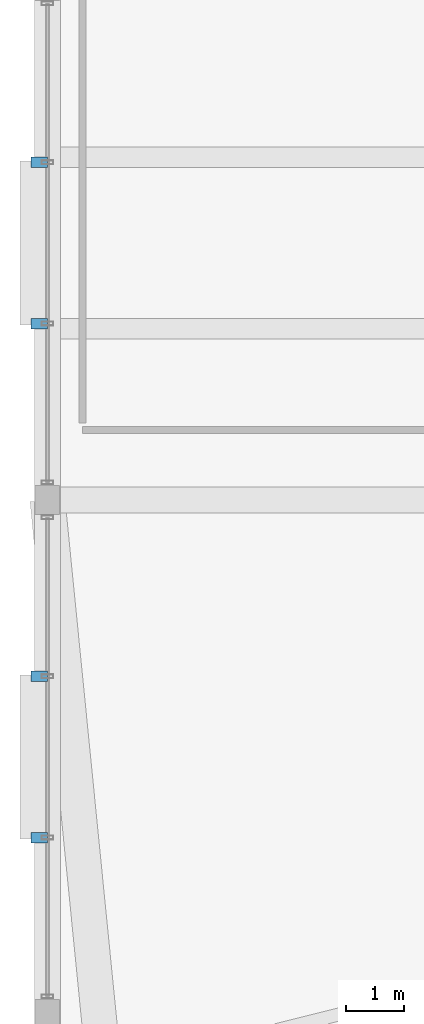
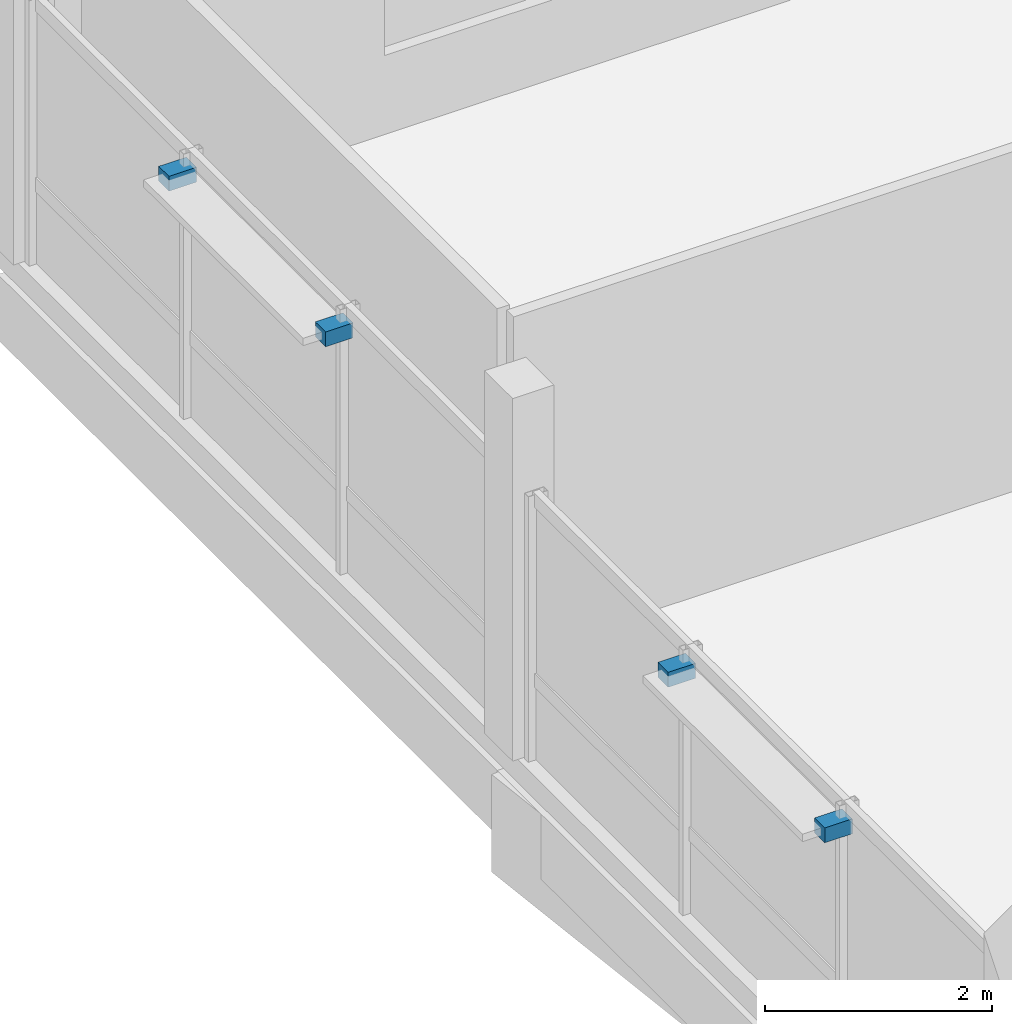
# One storey, part 59 of 62: 4 discrete accessories.
"""IFC4 building model written with IfcOpenShell, lengths in metres."""

import ifcopenshell
import ifcopenshell.guid

model = None  # the IFC model being written
_history = None  # IfcOwnerHistory: only IFC2X3 demands one
_inside = {}  # id of a spatial element -> (the spatial element, [elements in it])
_under = {}  # id of a project, library or spatial element -> (it, [spatial elements below it])
_declared = {}  # id of a project -> (the project, [libraries it declares])
_typed = {}  # id of a type object -> (the type object, [elements of that type])
_made_of = {}  # id of a material, layer set ... -> (it, [elements and type objects made of it])


def new_model(schema):
    """Start an empty IFC model of exactly this schema.

    Asked for "IFC4X3", IfcOpenShell would pick the latest addendum, in which some entities
    have other attributes; the version numbers below select the first issue.
    IFC2X3 requires an IfcOwnerHistory on every rooted entity: one is made here for all.
    """
    global model, _history
    if schema == "IFC4X3":
        model = ifcopenshell.file(schema_version=(4, 3, 0, 0))
    else:
        model = ifcopenshell.file(schema=schema)
    _inside.clear()
    _under.clear()
    _declared.clear()
    _typed.clear()
    _made_of.clear()
    _history = None
    if model.schema == "IFC2X3":
        org = make("IfcOrganization", Name="unknown")
        user = make(
            "IfcPersonAndOrganization",
            ThePerson=make("IfcPerson", FamilyName="unknown"),
            TheOrganization=org,
        )
        app = make(
            "IfcApplication",
            ApplicationDeveloper=org,
            Version="unknown",
            ApplicationFullName="unknown",
            ApplicationIdentifier="unknown",
        )
        _history = make(
            "IfcOwnerHistory",
            OwningUser=user,
            OwningApplication=app,
            ChangeAction="ADDED",
            CreationDate=0,
        )
    return model


def make(cls, **values):
    """One entity of the class cls with the attributes given. An attribute that is None is left unset."""
    return model.create_entity(
        cls, **{name: value for name, value in values.items() if value is not None}
    )


def rooted(cls, **values):
    """An entity with a GlobalId (a new one), such as an element, a storey or a relation."""
    return make(cls, GlobalId=ifcopenshell.guid.new(), OwnerHistory=_history, **values)


def si_unit(unit_type, name, prefix=None):
    """IfcSIUnit, for example si_unit("LENGTHUNIT", "METRE", prefix="MILLI")."""
    return make("IfcSIUnit", UnitType=unit_type, Prefix=prefix, Name=name)


def assignment(units):
    """IfcUnitAssignment: the units of a project."""
    return None if units is None else make("IfcUnitAssignment", Units=units)


def point(xyz):
    """IfcCartesianPoint."""
    return None if xyz is None else make("IfcCartesianPoint", Coordinates=xyz)


def direction(xyz):
    """IfcDirection."""
    return None if xyz is None else make("IfcDirection", DirectionRatios=xyz)


def frame(location, z_axis=None, x_axis=None):
    """IfcAxis2Placement3D, a coordinate frame: its origin and axes. An axis left out is left unset."""
    return make(
        "IfcAxis2Placement3D",
        Location=point(location),
        Axis=direction(z_axis),
        RefDirection=direction(x_axis),
    )


def frame_2d(location, x_axis=None):
    """IfcAxis2Placement2D, a coordinate frame in the plane: its origin and x axis."""
    return make(
        "IfcAxis2Placement2D", Location=point(location), RefDirection=direction(x_axis)
    )


def origin():
    """The frame at (0, 0, 0) with its axes left unset."""
    return frame((0.0, 0.0, 0.0))


def origin_2d():
    """The frame at (0, 0) in the plane with its x axis left unset."""
    return frame_2d((0.0, 0.0))


def place(relative_to, where):
    """IfcLocalPlacement: puts the frame where relative to a parent placement (None: the world)."""
    return make(
        "IfcLocalPlacement", PlacementRelTo=relative_to, RelativePlacement=where
    )


def context(
    kind, dimensions, precision=None, world=None, true_north=None, identifier=None
):
    """IfcGeometricRepresentationContext, for example the 3D "Model" context."""
    return make(
        "IfcGeometricRepresentationContext",
        ContextIdentifier=identifier,
        ContextType=kind,
        CoordinateSpaceDimension=dimensions,
        Precision=precision,
        WorldCoordinateSystem=world,
        TrueNorth=true_north,
    )


def subcontext(parent, identifier, kind, view, scale=None):
    """IfcGeometricRepresentationSubContext, for example "Body" below "Model"."""
    return make(
        "IfcGeometricRepresentationSubContext",
        ContextIdentifier=identifier,
        ContextType=kind,
        ParentContext=parent,
        TargetScale=scale,
        TargetView=view,
    )


def project(units=None, contexts=None):
    """IfcProject with its units and contexts."""
    return rooted(
        "IfcProject",
        Name="project",
        RepresentationContexts=contexts,
        UnitsInContext=assignment(units),
    )


def spatial(cls, under=None, at=None, **own):
    """A site, building, storey or space (cls), placed at a placement, below another one or the project."""
    s = rooted(cls, ObjectPlacement=at, **own)
    if under is not None:
        _under.setdefault(under.id(), (under, []))[1].append(s)
    return s


def profile(cls, at=None, kind="AREA", **sizes):
    """A parametric profile (cls). Its sizes go by their IFC names, for example OverallWidth=200.0."""
    return make(cls, ProfileType=kind, Position=at, **sizes)


def rectangle(**sizes):
    """IfcRectangleProfileDef."""
    return profile("IfcRectangleProfileDef", **sizes)


def extrude(swept, where, along, depth):
    """IfcExtrudedAreaSolid: the profile swept, set in the frame where, extruded along a direction by depth."""
    return make(
        "IfcExtrudedAreaSolid",
        SweptArea=swept,
        Position=where,
        ExtrudedDirection=direction(along),
        Depth=depth,
    )


def shape(context_of_items, identifier, shape_type, items):
    """IfcShapeRepresentation: the items that make up one representation, for example the "Body"."""
    return make(
        "IfcShapeRepresentation",
        ContextOfItems=context_of_items,
        RepresentationIdentifier=identifier,
        RepresentationType=shape_type,
        Items=items,
    )


def material(Name=None, Category=None):
    """IfcMaterial."""
    return make("IfcMaterial", Name=Name, Category=Category)


def made_of(thing, what):
    """Note that an element or type object is made of a material, layer set ...; save() writes the relation."""
    if what is not None:
        _made_of.setdefault(what.id(), (what, []))[1].append(thing)
    return thing


def type_object(cls, material=None, **own):
    """A type object (cls), such as IfcWallType, which elements share."""
    return made_of(rooted(cls, **own), material)


def element(
    cls,
    number,
    at=None,
    inside=None,
    cuts=None,
    type_object=None,
    material=None,
    context=None,
    identifier="Body",
    shape_type=None,
    held_by="IfcProductDefinitionShape",
    body=None,
    shapes=None,
    **own,
):
    """One element of the class cls, such as IfcWall. Its Tag is "e" and its number.

    at: its placement. inside: the storey or other place that contains it. cuts: it is an
    opening in that element (IfcRelVoidsElement). A single representation is given by context,
    identifier, shape_type and body (its items); several are given by shapes. held_by: the class
    of the entity that holds the representations. save() writes the other relations.
    """
    e = rooted(cls, Tag="e%d" % number, ObjectPlacement=at, **own)
    if body is not None:
        shapes = [shape(context, identifier, shape_type, body)]
    if shapes is not None:
        e.Representation = make(held_by, Representations=shapes)
    if inside is not None:
        _inside.setdefault(inside.id(), (inside, []))[1].append(e)
    if cuts is not None:
        rooted(
            "IfcRelVoidsElement", RelatingBuildingElement=cuts, RelatedOpeningElement=e
        )
    if type_object is not None:
        _typed.setdefault(type_object.id(), (type_object, []))[1].append(e)
    return made_of(e, material)


def aggregate(whole, parts):
    """IfcRelAggregates: a whole, such as a stair, and the parts it consists of."""
    return rooted("IfcRelAggregates", RelatingObject=whole, RelatedObjects=parts)


def save(model, path):
    """Write the relations noted so far, then the file.

    IfcRelAggregates (storeys below a building ...), IfcRelContainedInSpatialStructure (elements
    in a storey), IfcRelDefinesByType, IfcRelAssociatesMaterial and IfcRelDeclares: one each for
    every whole, place, type object, material and project.
    """
    for whole, parts in _under.values():
        aggregate(whole, parts)
    for where, things in _inside.values():
        rooted(
            "IfcRelContainedInSpatialStructure",
            RelatedElements=things,
            RelatingStructure=where,
        )
    for kind, things in _typed.values():
        rooted("IfcRelDefinesByType", RelatedObjects=things, RelatingType=kind)
    for what, things in _made_of.values():
        rooted("IfcRelAssociatesMaterial", RelatedObjects=things, RelatingMaterial=what)
    for by, libraries in _declared.values():
        rooted("IfcRelDeclares", RelatingContext=by, RelatedDefinitions=libraries)
    model.write(path)


model = new_model("IFC4")

# Units and contexts
model_context = context("Model", 3, precision=1e-05, world=origin(), true_north=direction((0.0, 1.0)))
body_context = subcontext(model_context, "Body", "Model", "MODEL_VIEW")
ifc_project = project(units=[si_unit("LENGTHUNIT", "METRE"), si_unit("AREAUNIT", "SQUARE_METRE"), si_unit("VOLUMEUNIT", "CUBIC_METRE"), si_unit("PLANEANGLEUNIT", "RADIAN"), si_unit("MASSUNIT", "GRAM", prefix="KILO")], contexts=[model_context])

# Site, building, storey
site_placement = place(None, origin())
site = spatial("IfcSite", under=ifc_project, at=site_placement, CompositionType="ELEMENT")
building_placement = place(site_placement, origin())
building = spatial("IfcBuilding", under=site, at=building_placement, Name="Meriwether Solvik Hall", CompositionType="ELEMENT")
storey_placement = place(building_placement, frame((0.0, 0.0, 14.39990234375)))
storey = spatial("IfcBuildingStorey", under=building, at=storey_placement, Name="L03", CompositionType="ELEMENT", Elevation=14.39990234375)

# Discrete accessories
ifc_material = material(Name="Steel A36 Galvanised", Category="steel")
discrete_accessory_type = type_object("IfcDiscreteAccessoryType", Name="ACC-BRK-STL", PredefinedType="BRACKET", material=ifc_material)
for number, where, z_axis, x_axis, name in (
    (1, (59.260009765625, 78.2197265625, 2.55517578125), (0.0, 0.0, 1.0), (0.0, 1.0, 0.0), "Sunshade Outrigger Bracket wing_Y7_9_32-1"),
    (2, (59.260009765625, 80.980224609375, 2.55517578125), (0.0, 0.0, 1.0), (0.0, 1.0, 0.0), "Sunshade Outrigger Bracket wing_Y7_9_32-2"),
    (3, (59.260009765625, 87.019775390625, 2.55517578125), (0.0, 0.0, 1.0), (0.0, 1.0, 0.0), "Sunshade Outrigger Bracket wing_Y7_10_33-1"),
    (4, (59.260009765625, 89.7802734375, 2.55517578125), (0.0, 0.0, 1.0), (0.0, 1.0, 0.0), "Sunshade Outrigger Bracket wing_Y7_10_33-2"),
):
    element("IfcDiscreteAccessory", number, at=place(storey_placement, frame(where, z_axis=z_axis, x_axis=x_axis)), inside=storey, type_object=discrete_accessory_type, Name=name, PredefinedType="BRACKET", context=body_context, shape_type="SweptSolid", body=[
        extrude(rectangle(XDim=0.179931640625, YDim=0.280029296875, at=origin_2d()), origin(), (0.0, 0.0, 1.0), 0.159912109375),
    ])

save(model, "model.ifc")
